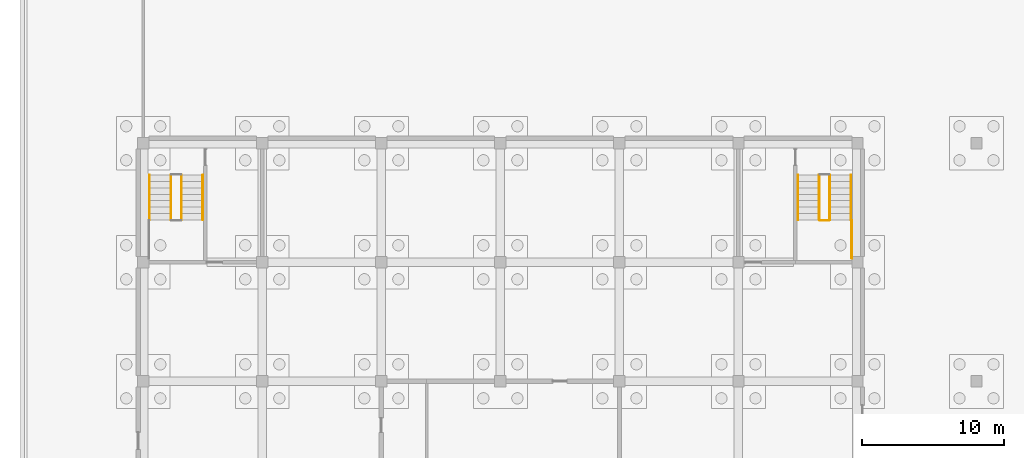
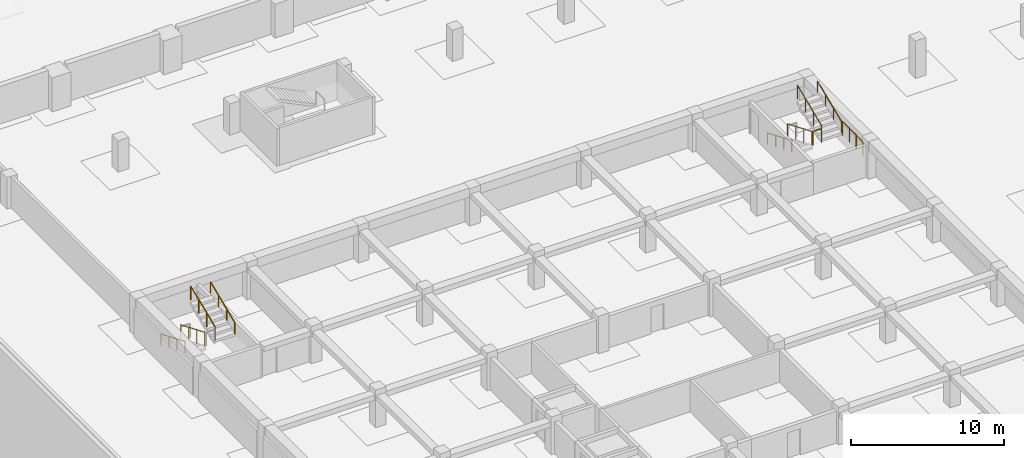
# One storey, part 53 of 67: 10 railings.
"""IFC4 building model written with IfcOpenShell, lengths in metres."""

from ifc_helpers import new_model, si_unit, direction, frame, origin, origin_2d, place, context, subcontext, project, spatial, circle, extrude, material, type_object, element, save


model = new_model("IFC4")

# Units and contexts
model_context = context("Model", 3, precision=1e-05, world=origin(), true_north=direction((0.0, 1.0)))
body_context = subcontext(model_context, "Body", "Model", "MODEL_VIEW")
ifc_project = project(units=[si_unit("LENGTHUNIT", "METRE"), si_unit("AREAUNIT", "SQUARE_METRE"), si_unit("VOLUMEUNIT", "CUBIC_METRE"), si_unit("PLANEANGLEUNIT", "RADIAN"), si_unit("MASSUNIT", "GRAM", prefix="KILO")], contexts=[model_context])

# Site, building, storey
site_placement = place(None, origin())
site = spatial("IfcSite", under=ifc_project, at=site_placement, CompositionType="ELEMENT")
building_placement = place(site_placement, origin())
building = spatial("IfcBuilding", under=site, at=building_placement, Name="Rain Tree Exposition and Congress Centre", CompositionType="ELEMENT")
storey_placement = place(building_placement, frame((0.0, 0.0, -3.0)))
storey = spatial("IfcBuildingStorey", under=building, at=storey_placement, Name="B1", CompositionType="ELEMENT", Elevation=-3.0)

# Railings
ifc_material_1 = material(Name="Steel S355J2H", Category="steel")
railing_type_1 = type_object("IfcRailingType", Name="Wing stair guard 1100", PredefinedType="GUARDRAIL", material=ifc_material_1)
railing_1_placement = place(storey_placement, frame((1.949951171875, 48.14990234375, 0.1875)))
element("IfcRailing", 1, at=railing_1_placement, inside=storey, type_object=railing_type_1, Name="B1 ST-W3 stair guard 1", PredefinedType="GUARDRAIL", context=body_context, shape_type="SweptSolid", body=[
    extrude(circle(Radius=0.02392578125, at=origin_2d()), frame((0.0, 0.0, 1.076171875), z_axis=(0.0, -0.923072689593, 0.384625544819), x_axis=(1.0, 0.0, 0.0)), (0.0, 0.0, 1.0), 3.412353515625),
    extrude(circle(Radius=0.02099609375, at=origin_2d()), origin(), (0.0, 0.0, 1.0), 1.052001953125),
    extrude(circle(Radius=0.02099609375, at=origin_2d()), frame((0.0, -1.050048828125, 0.4375)), (0.0, 0.0, 1.0), 1.052001953125),
    extrude(circle(Radius=0.02099609375, at=origin_2d()), frame((0.0, -2.099853515625, 0.875)), (0.0, 0.0, 1.0), 1.052001953125),
    extrude(circle(Radius=0.02099609375, at=origin_2d()), frame((0.0, -3.14990234375, 1.3125)), (0.0, 0.0, 1.0), 1.052001953125),
])
railing_2_placement = place(storey_placement, frame((2.699951171875, 45.0, 1.6875)))
element("IfcRailing", 2, at=railing_2_placement, inside=storey, type_object=railing_type_1, Name="B1 ST-W3 stair guard 3", PredefinedType="GUARDRAIL", context=body_context, shape_type="SweptSolid", body=[
    extrude(circle(Radius=0.02392578125, at=origin_2d()), frame((0.0, 0.0, 1.076171875), z_axis=(0.0, 0.923072689593, 0.384625544819), x_axis=(-1.0, 0.0, 0.0)), (0.0, 0.0, 1.0), 3.412353515625),
    extrude(circle(Radius=0.02099609375, at=origin_2d()), origin(), (0.0, 0.0, 1.0), 1.052001953125),
    extrude(circle(Radius=0.02099609375, at=origin_2d()), frame((0.0, 1.050048828125, 0.4375)), (0.0, 0.0, 1.0), 1.052001953125),
    extrude(circle(Radius=0.02099609375, at=origin_2d()), frame((0.0, 2.099853515625, 0.875)), (0.0, 0.0, 1.0), 1.052001953125),
    extrude(circle(Radius=0.02099609375, at=origin_2d()), frame((0.0, 3.14990234375, 1.3125)), (0.0, 0.0, 1.0), 1.052001953125),
])
railing_3_placement = place(storey_placement, frame((47.699951171875, 48.14990234375, 0.1875)))
element("IfcRailing", 3, at=railing_3_placement, inside=storey, type_object=railing_type_1, Name="B1 ST-W4 stair guard 1", PredefinedType="GUARDRAIL", context=body_context, shape_type="SweptSolid", body=[
    extrude(circle(Radius=0.02392578125, at=origin_2d()), frame((0.0, 0.0, 1.076171875), z_axis=(0.0, -0.923072689593, 0.384625544819), x_axis=(1.0, 0.0, 0.0)), (0.0, 0.0, 1.0), 3.412353515625),
    extrude(circle(Radius=0.02099609375, at=origin_2d()), origin(), (0.0, 0.0, 1.0), 1.052001953125),
    extrude(circle(Radius=0.02099609375, at=origin_2d()), frame((0.0, -1.050048828125, 0.4375)), (0.0, 0.0, 1.0), 1.052001953125),
    extrude(circle(Radius=0.02099609375, at=origin_2d()), frame((0.0, -2.099853515625, 0.875)), (0.0, 0.0, 1.0), 1.052001953125),
    extrude(circle(Radius=0.02099609375, at=origin_2d()), frame((0.0, -3.14990234375, 1.3125)), (0.0, 0.0, 1.0), 1.052001953125),
])
railing_4_placement = place(storey_placement, frame((47.75, 44.949951171875, 1.5)))
element("IfcRailing", 4, at=railing_4_placement, inside=storey, type_object=railing_type_1, Name="B1 ST-W4 stair guard 2", PredefinedType="GUARDRAIL", context=body_context, shape_type="SweptSolid", body=[
    extrude(circle(Radius=0.02392578125, at=origin_2d()), frame((0.0, 0.0, 1.076171875), z_axis=(1.0, 0.0, 0.0), x_axis=(0.0, 1.0, 0.0)), (0.0, 0.0, 1.0), 0.64990234375),
    extrude(circle(Radius=0.02099609375, at=origin_2d()), origin(), (0.0, 0.0, 1.0), 1.052001953125),
    extrude(circle(Radius=0.02099609375, at=origin_2d()), frame((0.64990234375, 0.0, 0.0)), (0.0, 0.0, 1.0), 1.052001953125),
])
railing_5_placement = place(storey_placement, frame((48.449951171875, 45.0, 1.6875)))
element("IfcRailing", 5, at=railing_5_placement, inside=storey, type_object=railing_type_1, Name="B1 ST-W4 stair guard 3", PredefinedType="GUARDRAIL", context=body_context, shape_type="SweptSolid", body=[
    extrude(circle(Radius=0.02392578125, at=origin_2d()), frame((0.0, 0.0, 1.076171875), z_axis=(0.0, 0.923072689593, 0.384625544819), x_axis=(-1.0, 0.0, 0.0)), (0.0, 0.0, 1.0), 3.412353515625),
    extrude(circle(Radius=0.02099609375, at=origin_2d()), origin(), (0.0, 0.0, 1.0), 1.052001953125),
    extrude(circle(Radius=0.02099609375, at=origin_2d()), frame((0.0, 1.050048828125, 0.4375)), (0.0, 0.0, 1.0), 1.052001953125),
    extrude(circle(Radius=0.02099609375, at=origin_2d()), frame((0.0, 2.099853515625, 0.875)), (0.0, 0.0, 1.0), 1.052001953125),
    extrude(circle(Radius=0.02099609375, at=origin_2d()), frame((0.0, 3.14990234375, 1.3125)), (0.0, 0.0, 1.0), 1.052001953125),
])
railing_6_placement = place(storey_placement, frame((50.0029296875, 44.949951171875, 1.5)))
element("IfcRailing", 6, at=railing_6_placement, inside=storey, type_object=railing_type_1, Name="wing/stair/ST-W4-B1-LG1", PredefinedType="GUARDRAIL", context=body_context, shape_type="SweptSolid", body=[
    extrude(circle(Radius=0.02392578125, at=origin_2d()), frame((0.0, 0.0, 1.076171875), z_axis=(0.0, -1.0, 0.0), x_axis=(1.0, 0.0, 0.0)), (0.0, 0.0, 1.0), 2.677978515625),
    extrude(circle(Radius=0.02099609375, at=origin_2d()), origin(), (0.0, 0.0, 1.0), 1.052001953125),
    extrude(circle(Radius=0.02099609375, at=origin_2d()), frame((0.0, -0.892578125, 0.0)), (0.0, 0.0, 1.0), 1.052001953125),
    extrude(circle(Radius=0.02099609375, at=origin_2d()), frame((0.0, -1.785400390625, 0.0)), (0.0, 0.0, 1.0), 1.052001953125),
    extrude(circle(Radius=0.02099609375, at=origin_2d()), frame((0.0, -2.677978515625, 0.0)), (0.0, 0.0, 1.0), 1.052001953125),
])
ifc_material_2 = material(Name="Steel S355J2H", Category="steel")
railing_type_2 = type_object("IfcRailingType", Name="Wing stair handrail 900", PredefinedType="HANDRAIL", material=ifc_material_2)
railing_7_placement = place(storey_placement, frame((0.449951171875, 48.14990234375, 0.1875)))
element("IfcRailing", 7, at=railing_7_placement, inside=storey, type_object=railing_type_2, Name="B1 ST-W3 stair handrail 1", PredefinedType="HANDRAIL", context=body_context, shape_type="SweptSolid", body=[
    extrude(circle(Radius=0.02392578125, at=origin_2d()), frame((0.0, 0.0, 0.8759765625), z_axis=(0.0, -0.923072689593, 0.384625544819), x_axis=(1.0, 0.0, 0.0)), (0.0, 0.0, 1.0), 3.412353515625),
    extrude(circle(Radius=0.02099609375, at=origin_2d()), origin(), (0.0, 0.0, 1.0), 0.851806640625),
    extrude(circle(Radius=0.02099609375, at=origin_2d()), frame((0.0, -1.050048828125, 0.4375)), (0.0, 0.0, 1.0), 0.851806640625),
    extrude(circle(Radius=0.02099609375, at=origin_2d()), frame((0.0, -2.099853515625, 0.875)), (0.0, 0.0, 1.0), 0.851806640625),
    extrude(circle(Radius=0.02099609375, at=origin_2d()), frame((0.0, -3.14990234375, 1.3125)), (0.0, 0.0, 1.0), 0.851806640625),
])
railing_8_placement = place(storey_placement, frame((4.199951171875, 45.0, 1.6875)))
element("IfcRailing", 8, at=railing_8_placement, inside=storey, type_object=railing_type_2, Name="B1 ST-W3 stair handrail 2", PredefinedType="HANDRAIL", context=body_context, shape_type="SweptSolid", body=[
    extrude(circle(Radius=0.02392578125, at=origin_2d()), frame((0.0, 0.0, 0.8759765625), z_axis=(0.0, 0.923072689593, 0.384625544819), x_axis=(-1.0, 0.0, 0.0)), (0.0, 0.0, 1.0), 3.412353515625),
    extrude(circle(Radius=0.02099609375, at=origin_2d()), origin(), (0.0, 0.0, 1.0), 0.851806640625),
    extrude(circle(Radius=0.02099609375, at=origin_2d()), frame((0.0, 1.050048828125, 0.4375)), (0.0, 0.0, 1.0), 0.851806640625),
    extrude(circle(Radius=0.02099609375, at=origin_2d()), frame((0.0, 2.099853515625, 0.875)), (0.0, 0.0, 1.0), 0.851806640625),
    extrude(circle(Radius=0.02099609375, at=origin_2d()), frame((0.0, 3.14990234375, 1.3125)), (0.0, 0.0, 1.0), 0.851806640625),
])
railing_9_placement = place(storey_placement, frame((46.199951171875, 48.14990234375, 0.1875)))
element("IfcRailing", 9, at=railing_9_placement, inside=storey, type_object=railing_type_2, Name="B1 ST-W4 stair handrail 1", PredefinedType="HANDRAIL", context=body_context, shape_type="SweptSolid", body=[
    extrude(circle(Radius=0.02392578125, at=origin_2d()), frame((0.0, 0.0, 0.8759765625), z_axis=(0.0, -0.923072689593, 0.384625544819), x_axis=(1.0, 0.0, 0.0)), (0.0, 0.0, 1.0), 3.412353515625),
    extrude(circle(Radius=0.02099609375, at=origin_2d()), origin(), (0.0, 0.0, 1.0), 0.851806640625),
    extrude(circle(Radius=0.02099609375, at=origin_2d()), frame((0.0, -1.050048828125, 0.4375)), (0.0, 0.0, 1.0), 0.851806640625),
    extrude(circle(Radius=0.02099609375, at=origin_2d()), frame((0.0, -2.099853515625, 0.875)), (0.0, 0.0, 1.0), 0.851806640625),
    extrude(circle(Radius=0.02099609375, at=origin_2d()), frame((0.0, -3.14990234375, 1.3125)), (0.0, 0.0, 1.0), 0.851806640625),
])
railing_10_placement = place(storey_placement, frame((49.949951171875, 45.0, 1.6875)))
element("IfcRailing", 10, at=railing_10_placement, inside=storey, type_object=railing_type_2, Name="B1 ST-W4 stair handrail 2", PredefinedType="HANDRAIL", context=body_context, shape_type="SweptSolid", body=[
    extrude(circle(Radius=0.02392578125, at=origin_2d()), frame((0.0, 0.0, 0.8759765625), z_axis=(0.0, 0.923072689593, 0.384625544819), x_axis=(-1.0, 0.0, 0.0)), (0.0, 0.0, 1.0), 3.412353515625),
    extrude(circle(Radius=0.02099609375, at=origin_2d()), origin(), (0.0, 0.0, 1.0), 0.851806640625),
    extrude(circle(Radius=0.02099609375, at=origin_2d()), frame((0.0, 1.050048828125, 0.4375)), (0.0, 0.0, 1.0), 0.851806640625),
    extrude(circle(Radius=0.02099609375, at=origin_2d()), frame((0.0, 2.099853515625, 0.875)), (0.0, 0.0, 1.0), 0.851806640625),
    extrude(circle(Radius=0.02099609375, at=origin_2d()), frame((0.0, 3.14990234375, 1.3125)), (0.0, 0.0, 1.0), 0.851806640625),
])

save(model, "model.ifc")
